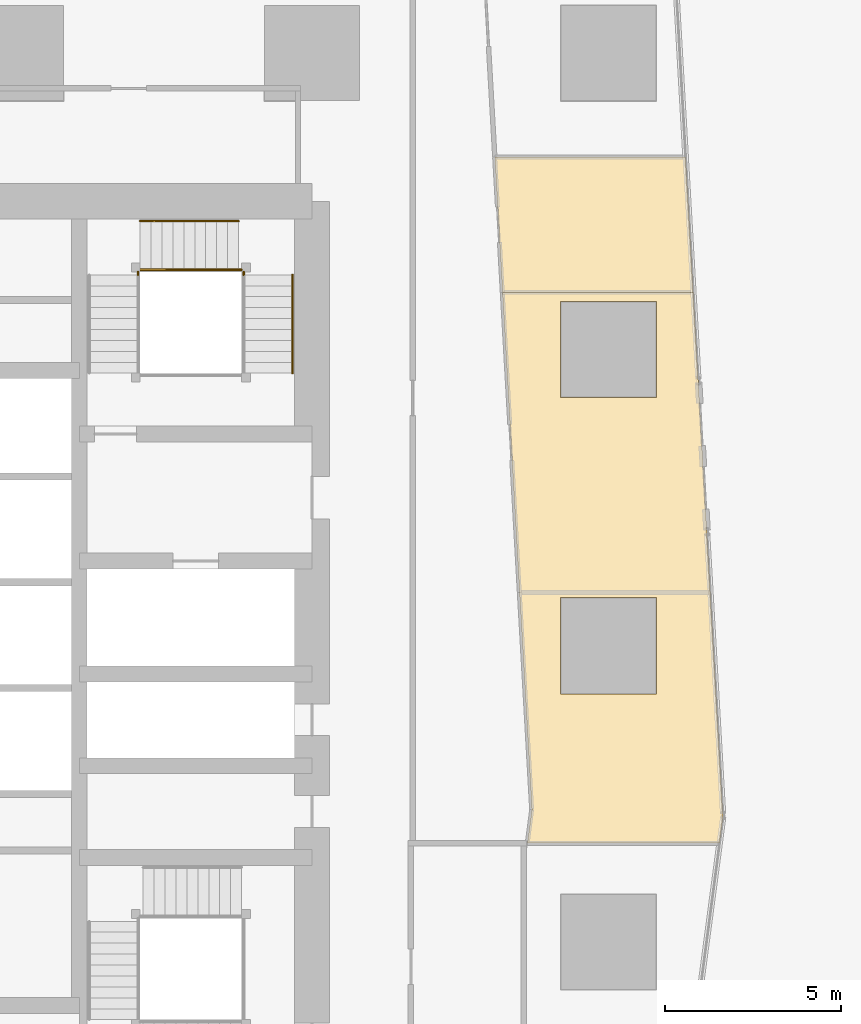
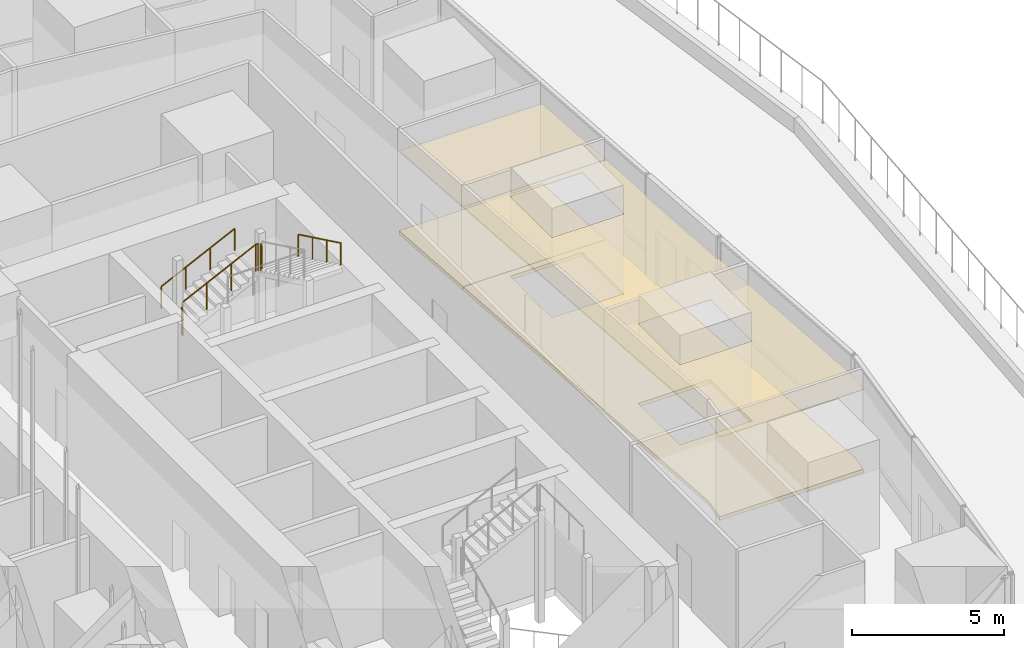
# One storey, part 25 of 39: 6 railings, 4 coverings.
"""IFC4 building model written with IfcOpenShell, lengths in metres."""

from ifc_helpers import new_model, si_unit, direction, frame, origin, origin_2d, place, context, subcontext, project, spatial, polyline, circle, outline, extrude, material, layer, layer_set, type_object, element, save


model = new_model("IFC4")

# Units and contexts
model_context = context("Model", 3, precision=1e-05, world=origin(), true_north=direction((0.0, 1.0)))
body_context = subcontext(model_context, "Body", "Model", "MODEL_VIEW")
ifc_project = project(units=[si_unit("LENGTHUNIT", "METRE"), si_unit("AREAUNIT", "SQUARE_METRE"), si_unit("VOLUMEUNIT", "CUBIC_METRE"), si_unit("PLANEANGLEUNIT", "RADIAN"), si_unit("MASSUNIT", "GRAM", prefix="KILO")], contexts=[model_context])

# Site, building, storey
site_placement = place(None, origin())
site = spatial("IfcSite", under=ifc_project, at=site_placement, CompositionType="ELEMENT")
building_placement = place(site_placement, origin())
building = spatial("IfcBuilding", under=site, at=building_placement, Name="Rekha Terrace Tower", CompositionType="ELEMENT")
storey_placement = place(building_placement, frame((0.0, 0.0, 168.199951171875)))
storey = spatial("IfcBuildingStorey", under=building, at=storey_placement, Name="L42", CompositionType="ELEMENT", Elevation=168.199951171875)

# Coverings
ifc_material_1 = material(Name="Mineral fibre tile in exposed grid", Category="finish")
ifc_layer_1 = layer(ifc_material_1, 0.02001953125)
ifc_layer_set_1 = layer_set([ifc_layer_1], Name="Mineral fibre tile in exposed grid")
covering_type_1 = type_object("IfcCoveringType", Name="CL1 600x1200 office grid ceiling", PredefinedType="CEILING", material=ifc_layer_set_1)
covering_1_placement = place(storey_placement, frame((0.0, 0.0, 3.330078125)))
element("IfcCovering", 1, at=covering_1_placement, inside=storey, type_object=covering_type_1, Name="Ceiling L42-06", PredefinedType="CEILING", context=body_context, shape_type="SweptSolid", body=[
    extrude(outline(polyline([(62.049072265625, 28.748046875), (61.68798828125, 35.10693359375), (61.205078125, 43.618896484375), (55.7958984375, 43.618896484375), (56.279052734375, 35.10888671875), (56.62890625, 28.950927734375), (56.5048828125, 28.012939453125), (61.951904296875, 28.012939453125), (62.049072265625, 28.748046875)]), holes=[polyline([(60.1650390625, 34.965087890625), (60.1650390625, 32.235107421875), (57.43505859375, 32.235107421875), (57.43505859375, 34.965087890625), (60.1650390625, 34.965087890625)]), polyline([(60.1650390625, 40.635009765625), (57.43505859375, 40.635009765625), (57.43505859375, 43.364990234375), (60.1650390625, 43.364990234375), (60.1650390625, 40.635009765625)])]), origin(), (0.0, 0.0, 1.0), 0.02001953125),
])
covering_2_placement = place(storey_placement, frame((0.0, 0.0, 3.330078125)))
element("IfcCovering", 2, at=covering_2_placement, inside=storey, type_object=covering_type_1, Name="Ceiling L42-07", PredefinedType="CEILING", context=body_context, shape_type="SweptSolid", body=[
    extrude(outline(polyline([(55.7958984375, 43.6201171875), (61.205078125, 43.6201171875), (60.988037109375, 47.450927734375), (55.5791015625, 47.450927734375), (55.7958984375, 43.6201171875)])), origin(), (0.0, 0.0, 1.0), 0.02001953125),
])

# Railings
ifc_material_2 = material(Name="Stainless steel balustrade", Category="steel")
railing_type_1 = type_object("IfcRailingType", Name="GR1 1100 stair guard", PredefinedType="GUARDRAIL", material=ifc_material_2)
railing_1_placement = place(storey_placement, frame((45.52490234375, 44.260009765625, 1.650146484375)))
element("IfcRailing", 3, at=railing_1_placement, inside=storey, type_object=railing_type_1, Name="Guard ST2 L42 flight 2", PredefinedType="GUARDRAIL", context=body_context, shape_type="SweptSolid", body=[
    extrude(circle(Radius=0.02392578125, at=origin_2d()), frame((0.0, 0.0, 1.076171875), z_axis=(0.900180171504, 0.0, 0.435517690606), x_axis=(0.0, 1.0, 0.0)), (0.0, 0.0, 1.0), 3.099365234375),
    extrude(circle(Radius=0.02099609375, at=origin_2d()), origin(), (0.0, 0.0, 1.0), 1.052001953125),
    extrude(circle(Radius=0.02099609375, at=origin_2d()), frame((0.929931640625, 0.0, 0.449951171875)), (0.0, 0.0, 1.0), 1.052001953125),
    extrude(circle(Radius=0.02099609375, at=origin_2d()), frame((1.860107421875, 0.0, 0.89990234375)), (0.0, 0.0, 1.0), 1.052001953125),
    extrude(circle(Radius=0.02099609375, at=origin_2d()), frame((2.7900390625, 0.0, 1.349853515625)), (0.0, 0.0, 1.0), 1.052001953125),
])
railing_2_placement = place(storey_placement, frame((45.465087890625, 44.114990234375, 1.5)))
element("IfcRailing", 4, at=railing_2_placement, inside=storey, type_object=railing_type_1, Name="Guard ST2 L42 landing 1", PredefinedType="GUARDRAIL", context=body_context, shape_type="SweptSolid", body=[
    extrude(circle(Radius=0.02392578125, at=origin_2d()), frame((0.0, 0.0, 1.076171875), z_axis=(0.0, 1.0, 0.0), x_axis=(-1.0, 0.0, 0.0)), (0.0, 0.0, 1.0), 0.0849609375),
    extrude(circle(Radius=0.02099609375, at=origin_2d()), origin(), (0.0, 0.0, 1.0), 1.052001953125),
    extrude(circle(Radius=0.02099609375, at=origin_2d()), frame((0.0, 0.0849609375, 0.0)), (0.0, 0.0, 1.0), 1.052001953125),
])
railing_3_placement = place(storey_placement, frame((48.31494140625, 44.260009765625, 3.0)))
element("IfcRailing", 5, at=railing_3_placement, inside=storey, type_object=railing_type_1, Name="Guard ST2 L42 landing 2", PredefinedType="GUARDRAIL", context=body_context, shape_type="SweptSolid", body=[
    extrude(circle(Radius=0.02392578125, at=origin_2d()), frame((0.0, 0.0, 1.076171875), z_axis=(1.0, 0.0, 0.0), x_axis=(0.0, 1.0, 0.0)), (0.0, 0.0, 1.0), 0.0849609375),
    extrude(circle(Radius=0.02099609375, at=origin_2d()), origin(), (0.0, 0.0, 1.0), 1.052001953125),
    extrude(circle(Radius=0.02099609375, at=origin_2d()), frame((0.0849609375, 0.0, 0.0)), (0.0, 0.0, 1.0), 1.052001953125),
])
railing_4_placement = place(storey_placement, frame((48.4599609375, 44.114990234375, 3.0)))
element("IfcRailing", 6, at=railing_4_placement, inside=storey, type_object=railing_type_1, Name="Guard ST2 L42 landing 3", PredefinedType="GUARDRAIL", context=body_context, shape_type="SweptSolid", body=[
    extrude(circle(Radius=0.02392578125, at=origin_2d()), frame((0.0, 0.0, 1.076171875), z_axis=(0.0, 1.0, 0.0), x_axis=(-1.0, 0.0, 0.0)), (0.0, 0.0, 1.0), 0.0849609375),
    extrude(circle(Radius=0.02099609375, at=origin_2d()), origin(), (0.0, 0.0, 1.0), 1.052001953125),
    extrude(circle(Radius=0.02099609375, at=origin_2d()), frame((0.0, 0.0849609375, 0.0)), (0.0, 0.0, 1.0), 1.052001953125),
])
ifc_material_3 = material(Name="Stainless steel tube", Category="steel")
railing_type_2 = type_object("IfcRailingType", Name="HR1 900 stair handrail", PredefinedType="HANDRAIL", material=ifc_material_3)
railing_5_placement = place(storey_placement, frame((45.52490234375, 45.639892578125, 1.650146484375)))
element("IfcRailing", 7, at=railing_5_placement, inside=storey, type_object=railing_type_2, Name="Handrail ST2 L42 flight 2", PredefinedType="HANDRAIL", context=body_context, shape_type="SweptSolid", body=[
    extrude(circle(Radius=0.02392578125, at=origin_2d()), frame((0.0, 0.0, 0.8759765625), z_axis=(0.900180171504, 0.0, 0.435517690606), x_axis=(0.0, 1.0, 0.0)), (0.0, 0.0, 1.0), 3.099365234375),
    extrude(circle(Radius=0.02099609375, at=origin_2d()), origin(), (0.0, 0.0, 1.0), 0.851806640625),
    extrude(circle(Radius=0.02099609375, at=origin_2d()), frame((0.929931640625, 0.0, 0.449951171875)), (0.0, 0.0, 1.0), 0.851806640625),
    extrude(circle(Radius=0.02099609375, at=origin_2d()), frame((1.860107421875, 0.0, 0.89990234375)), (0.0, 0.0, 1.0), 0.851806640625),
    extrude(circle(Radius=0.02099609375, at=origin_2d()), frame((2.7900390625, 0.0, 1.349853515625)), (0.0, 0.0, 1.0), 0.851806640625),
])
railing_6_placement = place(storey_placement, frame((49.840087890625, 44.114990234375, 3.150146484375)))
element("IfcRailing", 8, at=railing_6_placement, inside=storey, type_object=railing_type_2, Name="Handrail ST2 L42 flight 3", PredefinedType="HANDRAIL", context=body_context, shape_type="SweptSolid", body=[
    extrude(circle(Radius=0.02392578125, at=origin_2d()), frame((0.0, 0.0, 0.8759765625), z_axis=(0.0, -0.900180171504, 0.435517690606), x_axis=(1.0, 0.0, 0.0)), (0.0, 0.0, 1.0), 3.099365234375),
    extrude(circle(Radius=0.02099609375, at=origin_2d()), origin(), (0.0, 0.0, 1.0), 0.851806640625),
    extrude(circle(Radius=0.02099609375, at=origin_2d()), frame((0.0, -0.929931640625, 0.449951171875)), (0.0, 0.0, 1.0), 0.851806640625),
    extrude(circle(Radius=0.02099609375, at=origin_2d()), frame((0.0, -1.860107421875, 0.89990234375)), (0.0, 0.0, 1.0), 0.851806640625),
    extrude(circle(Radius=0.02099609375, at=origin_2d()), frame((0.0, -2.7900390625, 1.349853515625)), (0.0, 0.0, 1.0), 0.851806640625),
])

# Coverings
ifc_material_4 = material(Name="Calcium sulphate panels on steel pedestals", Category="steel")
ifc_layer_2 = layer(ifc_material_4, 0.14990234375)
ifc_layer_set_2 = layer_set([ifc_layer_2], Name="Calcium sulphate panels on steel pedestals")
covering_type_2 = type_object("IfcCoveringType", Name="RF1 150 raised access floor", PredefinedType="FLOORING", material=ifc_layer_set_2)
covering_3_placement = place(storey_placement, origin())
element("IfcCovering", 9, at=covering_3_placement, inside=storey, type_object=covering_type_2, Name="Raised floor L42-06", PredefinedType="FLOORING", context=body_context, shape_type="SweptSolid", body=[
    extrude(outline(polyline([(62.049072265625, 28.748046875), (61.68798828125, 35.10693359375), (61.205078125, 43.618896484375), (55.7958984375, 43.618896484375), (56.279052734375, 35.10888671875), (56.62890625, 28.950927734375), (56.5048828125, 28.012939453125), (61.951904296875, 28.012939453125), (62.049072265625, 28.748046875)]), holes=[polyline([(60.1650390625, 34.965087890625), (60.1650390625, 32.235107421875), (57.43505859375, 32.235107421875), (57.43505859375, 34.965087890625), (60.1650390625, 34.965087890625)]), polyline([(60.1650390625, 40.635009765625), (57.43505859375, 40.635009765625), (57.43505859375, 43.364990234375), (60.1650390625, 43.364990234375), (60.1650390625, 40.635009765625)])]), origin(), (0.0, 0.0, 1.0), 0.150146484375),
])
covering_4_placement = place(storey_placement, origin())
element("IfcCovering", 10, at=covering_4_placement, inside=storey, type_object=covering_type_2, Name="Raised floor L42-07", PredefinedType="FLOORING", context=body_context, shape_type="SweptSolid", body=[
    extrude(outline(polyline([(55.7958984375, 43.6201171875), (61.205078125, 43.6201171875), (60.988037109375, 47.450927734375), (55.5791015625, 47.450927734375), (55.7958984375, 43.6201171875)])), origin(), (0.0, 0.0, 1.0), 0.150146484375),
])

save(model, "model.ifc")
